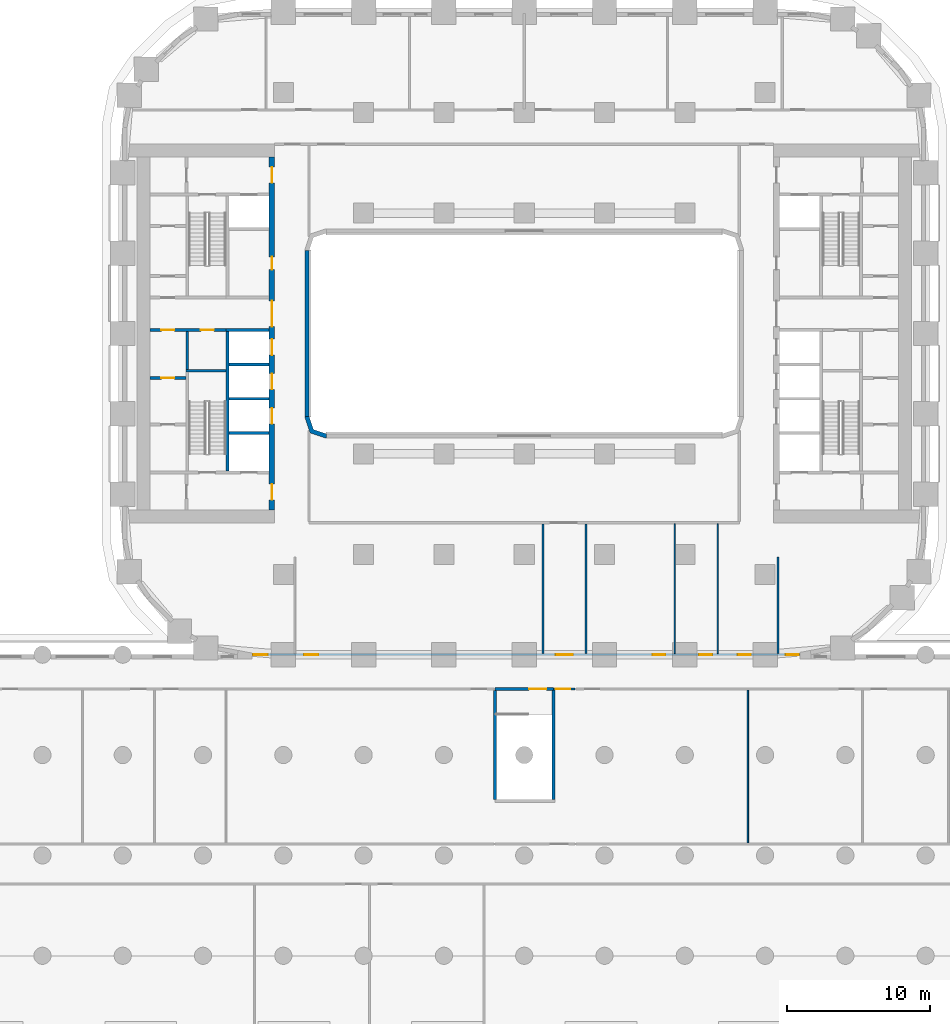
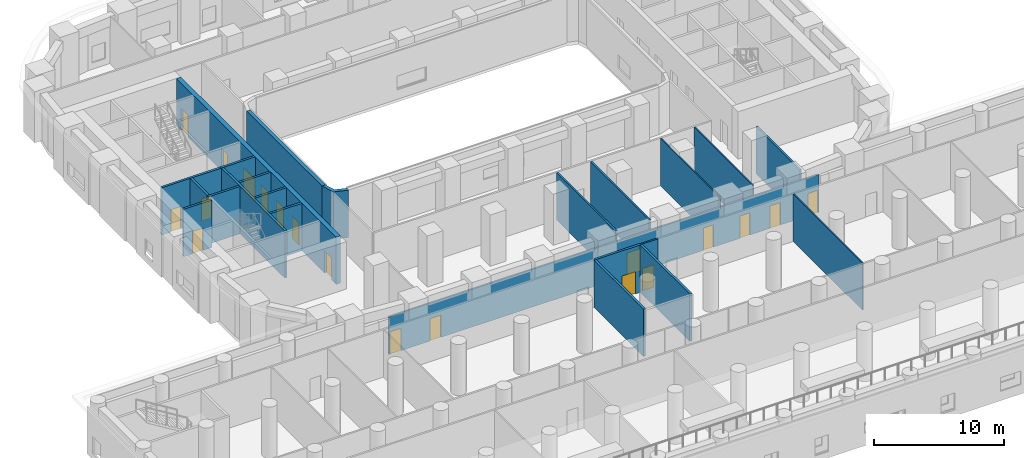
# One storey, part 10 of 24: 23 walls, 19 doors, 19 openings.
"""IFC4 building model written with IfcOpenShell, lengths in metres."""

from ifc_helpers import new_model, si_unit, direction, frame, frame_2d, origin, place, context, subcontext, project, spatial, polyline, rectangle, outline, extrude, material, layer, layer_set, type_object, element, fill, save


model = new_model("IFC4")

# Units and contexts
model_context = context("Model", 3, precision=1e-05, world=origin(), true_north=direction((0.0, 1.0)))
body_context = subcontext(model_context, "Body", "Model", "MODEL_VIEW")
ifc_project = project(units=[si_unit("LENGTHUNIT", "METRE"), si_unit("AREAUNIT", "SQUARE_METRE"), si_unit("VOLUMEUNIT", "CUBIC_METRE"), si_unit("PLANEANGLEUNIT", "RADIAN"), si_unit("MASSUNIT", "GRAM", prefix="KILO")], contexts=[model_context])

# Site, building, storey
site_placement = place(None, origin())
site = spatial("IfcSite", under=ifc_project, at=site_placement, CompositionType="ELEMENT")
building_placement = place(site_placement, origin())
building = spatial("IfcBuilding", under=site, at=building_placement, Name="Kiln Ring Residences", CompositionType="ELEMENT")
storey_placement = place(building_placement, frame((0.0, 0.0, 11.300048828125)))
storey = spatial("IfcBuildingStorey", under=building, at=storey_placement, Name="L02", CompositionType="ELEMENT", Elevation=11.300048828125)

# Wall
ifc_material_1 = material(Name="Gypsum board on steel studs", Category="steel")
ifc_layer_1 = layer(ifc_material_1, 0.199951171875)
ifc_layer_set_1 = layer_set([ifc_layer_1], Name="CORE-PARTITION-200")
wall_type_1 = type_object("IfcWallType", Name="CORE-PARTITION-200", PredefinedType="PARTITIONING", material=ifc_layer_set_1)
wall_1_placement = place(storey_placement, frame((-23.5, -2.5, 0.0), z_axis=(0.0, 0.0, 1.0), x_axis=(0.0, 1.0, 0.0)))
element("IfcWall", 1, at=wall_1_placement, inside=storey, type_object=wall_type_1, Name="Core partition west L02 1", PredefinedType="PARTITIONING", context=body_context, shape_type="SweptSolid", body=[
    extrude(rectangle(XDim=2.64990234375, YDim=0.199951171875, at=frame_2d((1.324951171875, 0.0))), origin(), (0.0, 0.0, 1.0), 4.449951171875),
])

# Wall, openings, doors
wall_2_placement = place(storey_placement, frame((-20.800048828125, 0.25, 0.0), z_axis=(0.0, 0.0, 1.0), x_axis=(-1.0, 0.0, 0.0)))
wall_2 = element("IfcWall", 2, at=wall_2_placement, inside=storey, type_object=wall_type_1, Name="Core partition west L02 2", PredefinedType="PARTITIONING", context=body_context, shape_type="SweptSolid", body=[
    extrude(rectangle(XDim=5.300048828125, YDim=0.199951171875, at=frame_2d((2.64990234375, 0.0))), origin(), (0.0, 0.0, 1.0), 4.449951171875),
])
opening_1_placement = place(wall_2_placement, frame((0.85009765625, 0.0, 0.0)))
opening_1 = element("IfcOpeningElement", 3, at=opening_1_placement, cuts=wall_2, Name="Opening L02-CW14", PredefinedType="OPENING", context=body_context, shape_type="SweptSolid", body=[
    extrude(rectangle(XDim=0.89990234375, YDim=2.10009765625, at=frame_2d((0.449951171875, 1.050048828125))), frame((0.0, 0.10986328125, 0.0), z_axis=(0.0, -1.0, 0.0), x_axis=(1.0, 0.0, 0.0)), (0.0, 0.0, 1.0), 0.219970703125),
])
opening_2_placement = place(wall_2_placement, frame((3.60009765625, 0.0, 0.0)))
opening_2 = element("IfcOpeningElement", 4, at=opening_2_placement, cuts=wall_2, Name="Opening L02-CW17", PredefinedType="OPENING", context=body_context, shape_type="SweptSolid", body=[
    extrude(rectangle(XDim=0.89990234375, YDim=2.10009765625, at=frame_2d((0.449951171875, 1.050048828125))), frame((0.0, 0.10986328125, 0.0), z_axis=(0.0, -1.0, 0.0), x_axis=(1.0, 0.0, 0.0)), (0.0, 0.0, 1.0), 0.219970703125),
])
ifc_material_2 = material(Name="Steel door leaf", Category="steel")
door_type_1 = type_object("IfcDoorType", Name="CORE-DOOR-ROOM", OperationType="SINGLE_SWING_LEFT", PredefinedType="DOOR", material=ifc_material_2)
door_1_placement = place(opening_1_placement, origin())
door_1 = element("IfcDoor", 5, at=door_1_placement, inside=storey, type_object=door_type_1, Name="Electrical riser room L02-CW14", OperationType="SINGLE_SWING_RIGHT", OverallHeight=2.10009765625, OverallWidth=0.89990234375, PredefinedType="DOOR", context=body_context, shape_type="SweptSolid", body=[
    extrude(rectangle(XDim=0.89990234375, YDim=2.10009765625, at=frame_2d((0.449951171875, 1.050048828125))), frame((0.0, 0.02490234375, 0.0), z_axis=(0.0, -1.0, 0.0), x_axis=(1.0, 0.0, 0.0)), (0.0, 0.0, 1.0), 0.050048828125),
])
fill(opening_1, door_1)
door_2_placement = place(opening_2_placement, origin())
door_2 = element("IfcDoor", 6, at=door_2_placement, inside=storey, type_object=door_type_1, Name="Plant room L02-CW17", OperationType="SINGLE_SWING_LEFT", OverallHeight=2.10009765625, OverallWidth=0.89990234375, PredefinedType="DOOR", context=body_context, shape_type="SweptSolid", body=[
    extrude(rectangle(XDim=0.89990234375, YDim=2.10009765625, at=frame_2d((0.449951171875, 1.050048828125))), frame((0.0, 0.02490234375, 0.0), z_axis=(0.0, -1.0, 0.0), x_axis=(1.0, 0.0, 0.0)), (0.0, 0.0, 1.0), 0.050048828125),
])
fill(opening_2, door_2)

# Wall, opening, door
wall_3_placement = place(storey_placement, frame((-23.60009765625, -3.10009765625, 0.0), z_axis=(0.0, 0.0, 1.0), x_axis=(-1.0, 0.0, 0.0)))
wall_3 = element("IfcWall", 7, at=wall_3_placement, inside=storey, type_object=wall_type_1, Name="Core partition west L02 6", PredefinedType="PARTITIONING", context=body_context, shape_type="SweptSolid", body=[
    extrude(rectangle(XDim=2.5, YDim=0.199951171875, at=frame_2d((1.25, 0.0))), origin(), (0.0, 0.0, 1.0), 4.449951171875),
])
opening_3_placement = place(wall_3_placement, frame((0.800048828125, 0.0, 0.0)))
opening_3 = element("IfcOpeningElement", 8, at=opening_3_placement, cuts=wall_3, Name="Opening L02-CW16", PredefinedType="OPENING", context=body_context, shape_type="SweptSolid", body=[
    extrude(rectangle(XDim=0.89990234375, YDim=2.10009765625, at=frame_2d((0.449951171875, 1.050048828125))), frame((0.0, 0.10986328125, 0.0), z_axis=(0.0, -1.0, 0.0), x_axis=(1.0, 0.0, 0.0)), (0.0, 0.0, 1.0), 0.219970703125),
])
door_3_placement = place(opening_3_placement, origin())
door_3 = element("IfcDoor", 9, at=door_3_placement, inside=storey, type_object=door_type_1, Name="Plant room L02-CW16", OperationType="SINGLE_SWING_LEFT", OverallHeight=2.10009765625, OverallWidth=0.89990234375, PredefinedType="DOOR", context=body_context, shape_type="SweptSolid", body=[
    extrude(rectangle(XDim=0.89990234375, YDim=2.10009765625, at=frame_2d((0.449951171875, 1.050048828125))), frame((0.0, 0.02490234375, 0.0), z_axis=(0.0, -1.0, 0.0), x_axis=(1.0, 0.0, 0.0)), (0.0, 0.0, 1.0), 0.050048828125),
])
fill(opening_3, door_3)

# Walls
ifc_material_3 = material(Name="Gypsum shaft wall system")
ifc_layer_2 = layer(ifc_material_3, 0.199951171875)
ifc_layer_set_2 = layer_set([ifc_layer_2], Name="CORE-SHAFT-WALL-200")
wall_type_2 = type_object("IfcWallType", Name="CORE-SHAFT-WALL-200", PredefinedType="PARTITIONING", material=ifc_layer_set_2)
for number, where, z_axis, x_axis, name in (
    (10, (-17.800048828125, -6.949951171875, 0.0), (0.0, 0.0, 1.0), (-1.0, 0.0, 0.0), "Core partition west L02 9"),
    (11, (-17.800048828125, -4.550048828125, 0.0), (0.0, 0.0, 1.0), (-1.0, 0.0, 0.0), "Core partition west L02 10"),
    (12, (-17.800048828125, -2.14990234375, 0.0), (0.0, 0.0, 1.0), (-1.0, 0.0, 0.0), "Core partition west L02 11"),
):
    element("IfcWall", number, at=place(storey_placement, frame(where, z_axis=z_axis, x_axis=x_axis)), inside=storey, type_object=wall_type_2, Name=name, PredefinedType="PARTITIONING", context=body_context, shape_type="SweptSolid", body=[
        extrude(rectangle(XDim=2.800048828125, YDim=0.199951171875, at=frame_2d((1.39990234375, 0.0))), origin(), (0.0, 0.0, 1.0), 4.449951171875),
    ])
wall_4_placement = place(storey_placement, frame((-17.800048828125, 0.25, 0.0), z_axis=(0.0, 0.0, 1.0), x_axis=(-1.0, 0.0, 0.0)))
element("IfcWall", 13, at=wall_4_placement, inside=storey, type_object=wall_type_2, Name="Core partition west L02 12", PredefinedType="PARTITIONING", context=body_context, shape_type="SweptSolid", body=[
    extrude(rectangle(XDim=3.0, YDim=0.199951171875, at=frame_2d((1.5, 0.0))), origin(), (0.0, 0.0, 1.0), 4.449951171875),
])
ifc_material_4 = material(Name="Concrete C40/50", Category="concrete")
ifc_layer_3 = layer(ifc_material_4, 0.199951171875)
ifc_layer_set_3 = layer_set([ifc_layer_3], Name="CORE-WALL-RC200")
wall_type_3 = type_object("IfcWallType", Name="CORE-WALL-RC200", PredefinedType="SHEAR", material=ifc_layer_set_3)
wall_5_placement = place(storey_placement, frame((-20.699951171875, -9.60009765625, 0.0), z_axis=(0.0, 0.0, 1.0), x_axis=(0.0, 1.0, 0.0)))
element("IfcWall", 14, at=wall_5_placement, inside=storey, type_object=wall_type_3, Name="Core wall west L02 2", PredefinedType="SHEAR", context=body_context, shape_type="SweptSolid", body=[
    extrude(rectangle(XDim=9.75, YDim=0.199951171875, at=frame_2d((4.875, 0.0))), origin(), (0.0, 0.0, 1.0), 4.449951171875),
])
wall_6_placement = place(storey_placement, frame((-20.800048828125, -2.60009765625, 0.0), z_axis=(0.0, 0.0, 1.0), x_axis=(-1.0, 0.0, 0.0)))
element("IfcWall", 15, at=wall_6_placement, inside=storey, type_object=wall_type_3, Name="Core wall west L02 12", PredefinedType="SHEAR", context=body_context, shape_type="SweptSolid", body=[
    extrude(rectangle(XDim=2.800048828125, YDim=0.199951171875, at=frame_2d((1.39990234375, 0.0))), origin(), (0.0, 0.0, 1.0), 4.449951171875),
])

# Wall, openings, doors
ifc_material_5 = material(Name="Concrete C60/75", Category="concrete")
ifc_layer_4 = layer(ifc_material_5, 0.39990234375)
ifc_layer_set_4 = layer_set([ifc_layer_4], Name="CORE-WALL-RC400")
wall_type_4 = type_object("IfcWallType", Name="CORE-WALL-RC400", PredefinedType="SHEAR", material=ifc_layer_set_4)
wall_7_placement = place(storey_placement, frame((-17.60009765625, -12.300048828125, 0.0), z_axis=(0.0, 0.0, 1.0), x_axis=(0.0, 1.0, 0.0)))
wall_7 = element("IfcWall", 16, at=wall_7_placement, inside=storey, type_object=wall_type_4, Name="Core wall west L02 6", PredefinedType="SHEAR", context=body_context, shape_type="SweptSolid", body=[
    extrude(rectangle(XDim=24.60009765625, YDim=0.39990234375, at=frame_2d((12.300048828125, 0.0))), origin(), (0.0, 0.0, 1.0), 4.449951171875),
])
opening_4_placement = place(wall_7_placement, frame((6.0, 0.0, 0.0)))
opening_4 = element("IfcOpeningElement", 17, at=opening_4_placement, cuts=wall_7, Name="Opening L02-CW02", PredefinedType="OPENING", context=body_context, shape_type="SweptSolid", body=[
    extrude(rectangle(XDim=1.10009765625, YDim=2.10009765625, at=frame_2d((0.550048828125, 1.050048828125))), frame((0.0, 0.2099609375, 0.0), z_axis=(0.0, -1.0, 0.0), x_axis=(1.0, 0.0, 0.0)), (0.0, 0.0, 1.0), 0.419921875),
])
opening_5_placement = place(wall_7_placement, frame((8.39990234375, 0.0, 0.0)))
opening_5 = element("IfcOpeningElement", 18, at=opening_5_placement, cuts=wall_7, Name="Opening L02-CW03", PredefinedType="OPENING", context=body_context, shape_type="SweptSolid", body=[
    extrude(rectangle(XDim=1.10009765625, YDim=2.10009765625, at=frame_2d((0.550048828125, 1.050048828125))), frame((0.0, 0.2099609375, 0.0), z_axis=(0.0, -1.0, 0.0), x_axis=(1.0, 0.0, 0.0)), (0.0, 0.0, 1.0), 0.419921875),
])
opening_6_placement = place(wall_7_placement, frame((10.800048828125, 0.0, 0.0)))
opening_6 = element("IfcOpeningElement", 19, at=opening_6_placement, cuts=wall_7, Name="Opening L02-CW04", PredefinedType="OPENING", context=body_context, shape_type="SweptSolid", body=[
    extrude(rectangle(XDim=1.10009765625, YDim=2.10009765625, at=frame_2d((0.550048828125, 1.050048828125))), frame((0.0, 0.2099609375, 0.0), z_axis=(0.0, -1.0, 0.0), x_axis=(1.0, 0.0, 0.0)), (0.0, 0.0, 1.0), 0.419921875),
])
opening_7_placement = place(wall_7_placement, frame((16.75, 0.0, 0.0)))
opening_7 = element("IfcOpeningElement", 20, at=opening_7_placement, cuts=wall_7, Name="Opening L02-CW05", PredefinedType="OPENING", context=body_context, shape_type="SweptSolid", body=[
    extrude(rectangle(XDim=0.89990234375, YDim=2.10009765625, at=frame_2d((0.449951171875, 1.050048828125))), frame((0.0, 0.2099609375, 0.0), z_axis=(0.0, -1.0, 0.0), x_axis=(1.0, 0.0, 0.0)), (0.0, 0.0, 1.0), 0.419921875),
])
opening_8_placement = place(wall_7_placement, frame((22.800048828125, 0.0, 0.0)))
opening_8 = element("IfcOpeningElement", 21, at=opening_8_placement, cuts=wall_7, Name="Opening L02-CW07", PredefinedType="OPENING", context=body_context, shape_type="SweptSolid", body=[
    extrude(rectangle(XDim=1.10009765625, YDim=2.10009765625, at=frame_2d((0.550048828125, 1.050048828125))), frame((0.0, 0.2099609375, 0.0), z_axis=(0.0, -1.0, 0.0), x_axis=(1.0, 0.0, 0.0)), (0.0, 0.0, 1.0), 0.419921875),
])
opening_9_placement = place(wall_7_placement, frame((0.699951171875, 0.0, 0.0)))
opening_9 = element("IfcOpeningElement", 22, at=opening_9_placement, cuts=wall_7, Name="Opening L02-CW08", PredefinedType="OPENING", context=body_context, shape_type="SweptSolid", body=[
    extrude(rectangle(XDim=1.10009765625, YDim=2.10009765625, at=frame_2d((0.550048828125, 1.050048828125))), frame((0.0, 0.2099609375, 0.0), z_axis=(0.0, -1.0, 0.0), x_axis=(1.0, 0.0, 0.0)), (0.0, 0.0, 1.0), 0.419921875),
])
opening_10_placement = place(wall_7_placement, frame((12.77490234375, 0.0, 0.0)))
opening_10 = element("IfcOpeningElement", 23, at=opening_10_placement, cuts=wall_7, Name="Opening L02-CW13", PredefinedType="OPENING", context=body_context, shape_type="SweptSolid", body=[
    extrude(rectangle(XDim=1.800048828125, YDim=2.10009765625, at=frame_2d((0.89990234375, 1.050048828125))), frame((0.0, 0.2099609375, 0.0), z_axis=(0.0, -1.0, 0.0), x_axis=(1.0, 0.0, 0.0)), (0.0, 0.0, 1.0), 0.419921875),
])
ifc_material_6 = material(Name="Steel door leaf", Category="steel")
door_type_2 = type_object("IfcDoorType", Name="CORE-DOOR-LD", OperationType="DOUBLE_DOOR_SLIDING", PredefinedType="DOOR", material=ifc_material_6)
door_4_placement = place(opening_4_placement, origin())
door_4 = element("IfcDoor", 24, at=door_4_placement, inside=storey, type_object=door_type_2, Name="LD W-L1 L02-CW02", OperationType="DOUBLE_DOOR_SLIDING", OverallHeight=2.10009765625, OverallWidth=1.10009765625, PredefinedType="DOOR", context=body_context, shape_type="SweptSolid", body=[
    extrude(rectangle(XDim=1.10009765625, YDim=2.10009765625, at=frame_2d((0.550048828125, 1.050048828125))), frame((0.0, 0.02490234375, 0.0), z_axis=(0.0, -1.0, 0.0), x_axis=(1.0, 0.0, 0.0)), (0.0, 0.0, 1.0), 0.050048828125),
])
fill(opening_4, door_4)
door_5_placement = place(opening_5_placement, origin())
door_5 = element("IfcDoor", 25, at=door_5_placement, inside=storey, type_object=door_type_2, Name="LD W-L2 L02-CW03", OperationType="DOUBLE_DOOR_SLIDING", OverallHeight=2.10009765625, OverallWidth=1.10009765625, PredefinedType="DOOR", context=body_context, shape_type="SweptSolid", body=[
    extrude(rectangle(XDim=1.10009765625, YDim=2.10009765625, at=frame_2d((0.550048828125, 1.050048828125))), frame((0.0, 0.02490234375, 0.0), z_axis=(0.0, -1.0, 0.0), x_axis=(1.0, 0.0, 0.0)), (0.0, 0.0, 1.0), 0.050048828125),
])
fill(opening_5, door_5)
door_6_placement = place(opening_6_placement, origin())
door_6 = element("IfcDoor", 26, at=door_6_placement, inside=storey, type_object=door_type_2, Name="LD W-L3 L02-CW04", OperationType="DOUBLE_DOOR_SLIDING", OverallHeight=2.10009765625, OverallWidth=1.10009765625, PredefinedType="DOOR", context=body_context, shape_type="SweptSolid", body=[
    extrude(rectangle(XDim=1.10009765625, YDim=2.10009765625, at=frame_2d((0.550048828125, 1.050048828125))), frame((0.0, 0.02490234375, 0.0), z_axis=(0.0, -1.0, 0.0), x_axis=(1.0, 0.0, 0.0)), (0.0, 0.0, 1.0), 0.050048828125),
])
fill(opening_6, door_6)
ifc_material_7 = material(Name="Steel door leaf", Category="steel")
door_type_3 = type_object("IfcDoorType", Name="CORE-DOOR-LOBBY", OperationType="SINGLE_SWING_LEFT", PredefinedType="DOOR", material=ifc_material_7)
door_7_placement = place(opening_8_placement, origin())
door_7 = element("IfcDoor", 27, at=door_7_placement, inside=storey, type_object=door_type_3, Name="FFL L02-CW07", OperationType="SINGLE_SWING_RIGHT", OverallHeight=2.10009765625, OverallWidth=1.10009765625, PredefinedType="DOOR", context=body_context, shape_type="SweptSolid", body=[
    extrude(rectangle(XDim=1.10009765625, YDim=2.10009765625, at=frame_2d((0.550048828125, 1.050048828125))), frame((0.0, 0.02490234375, 0.0), z_axis=(0.0, -1.0, 0.0), x_axis=(1.0, 0.0, 0.0)), (0.0, 0.0, 1.0), 0.050048828125),
])
fill(opening_8, door_7)
door_8_placement = place(opening_9_placement, origin())
door_8 = element("IfcDoor", 28, at=door_8_placement, inside=storey, type_object=door_type_3, Name="SVL L02-CW08", OperationType="SINGLE_SWING_LEFT", OverallHeight=2.10009765625, OverallWidth=1.10009765625, PredefinedType="DOOR", context=body_context, shape_type="SweptSolid", body=[
    extrude(rectangle(XDim=1.10009765625, YDim=2.10009765625, at=frame_2d((0.550048828125, 1.050048828125))), frame((0.0, 0.02490234375, 0.0), z_axis=(0.0, -1.0, 0.0), x_axis=(1.0, 0.0, 0.0)), (0.0, 0.0, 1.0), 0.050048828125),
])
fill(opening_9, door_8)
ifc_material_8 = material(Name="Steel door leaf", Category="steel")
door_type_4 = type_object("IfcDoorType", Name="CORE-DOOR-PASS", OperationType="DOUBLE_DOOR_SINGLE_SWING", PredefinedType="DOOR", material=ifc_material_8)
door_9_placement = place(opening_10_placement, origin())
door_9 = element("IfcDoor", 29, at=door_9_placement, inside=storey, type_object=door_type_4, Name="Core passage L02-CW13", OperationType="DOUBLE_DOOR_SINGLE_SWING", OverallHeight=2.10009765625, OverallWidth=1.800048828125, PredefinedType="DOOR", context=body_context, shape_type="SweptSolid", body=[
    extrude(rectangle(XDim=1.800048828125, YDim=2.10009765625, at=frame_2d((0.89990234375, 1.050048828125))), frame((0.0, 0.02490234375, 0.0), z_axis=(0.0, -1.0, 0.0), x_axis=(1.0, 0.0, 0.0)), (0.0, 0.0, 1.0), 0.050048828125),
])
fill(opening_10, door_9)
door_10_placement = place(opening_7_placement, origin())
door_10 = element("IfcDoor", 30, at=door_10_placement, inside=storey, type_object=door_type_1, Name="Housekeeping store L02-CW05", OperationType="SINGLE_SWING_LEFT", OverallHeight=2.10009765625, OverallWidth=0.89990234375, PredefinedType="DOOR", context=body_context, shape_type="SweptSolid", body=[
    extrude(rectangle(XDim=0.89990234375, YDim=2.10009765625, at=frame_2d((0.449951171875, 1.050048828125))), frame((0.0, 0.02490234375, 0.0), z_axis=(0.0, -1.0, 0.0), x_axis=(1.0, 0.0, 0.0)), (0.0, 0.0, 1.0), 0.050048828125),
])
fill(opening_7, door_10)

# Walls
ifc_material_9 = material(Name="Brick masonry, dark clay brick", Category="masonry")
ifc_layer_5 = layer(ifc_material_9, 0.300048828125)
ifc_layer_set_5 = layer_set([ifc_layer_5], Name="EW-300 BRICK WALL")
wall_type_5 = type_object("IfcWallType", Name="EW-300 BRICK WALL", PredefinedType="SOLIDWALL", material=ifc_layer_set_5)
wall_8_placement = place(storey_placement, frame((-15.14990234375, -5.800048828125, 0.0), z_axis=(0.0, 0.0, 1.0), x_axis=(0.0, 1.0, 0.0)))
element("IfcWall", 31, at=wall_8_placement, inside=storey, type_object=wall_type_5, Name="Facade wall L02 75", PredefinedType="SOLIDWALL", context=body_context, shape_type="SweptSolid", body=[
    extrude(rectangle(XDim=11.60009765625, YDim=0.300048828125, at=frame_2d((5.800048828125, 0.0))), origin(), (0.0, 0.0, 1.0), 4.449951171875),
])
wall_9_placement = place(storey_placement, origin())
element("IfcWall", 32, at=wall_9_placement, inside=storey, type_object=wall_type_5, Name="Corner wall L02 6", PredefinedType="SOLIDWALL", context=body_context, shape_type="SweptSolid", body=[
    extrude(outline(polyline([(-14.937255859375, -6.937255859375), (-13.8486328125, -7.300048828125), (-13.800048828125, -7.300048828125), (-13.800048828125, -7.0), (-14.699951171875, -6.699951171875), (-15.0, -5.800048828125), (-15.300048828125, -5.800048828125), (-15.300048828125, -5.8486328125), (-14.937255859375, -6.937255859375)])), origin(), (0.0, 0.0, 1.0), 4.449951171875),
])
ifc_material_10 = material(Name="Gypsum board on steel studs", Category="steel")
ifc_layer_6 = layer(ifc_material_10, 0.10009765625)
ifc_layer_set_6 = layer_set([ifc_layer_6], Name="PARTITION-100")
wall_type_6 = type_object("IfcWallType", Name="PARTITION-100", PredefinedType="PARTITIONING", material=ifc_layer_set_6)
for number, where, z_axis, x_axis, name in (
    (33, (10.5, -22.324951171875, 0.0), (0.0, 0.0, 1.0), (0.0, 1.0, 0.0), "Partition 034"),
    (34, (13.5, -22.324951171875, 0.0), (0.0, 0.0, 1.0), (0.0, 1.0, 0.0), "Partition 035"),
):
    element("IfcWall", number, at=place(storey_placement, frame(where, z_axis=z_axis, x_axis=x_axis)), inside=storey, type_object=wall_type_6, Name=name, PredefinedType="PARTITIONING", context=body_context, shape_type="SweptSolid", body=[
        extrude(rectangle(XDim=9.050048828125, YDim=0.10009765625, at=frame_2d((4.52490234375, 0.0))), origin(), (0.0, 0.0, 1.0), 4.449951171875),
    ])
wall_10_placement = place(storey_placement, frame((15.60009765625, -35.52490234375, 0.0), z_axis=(0.0, 0.0, 1.0), x_axis=(0.0, 1.0, 0.0)))
element("IfcWall", 35, at=wall_10_placement, inside=storey, type_object=wall_type_6, Name="Partition 038", PredefinedType="PARTITIONING", context=body_context, shape_type="SweptSolid", body=[
    extrude(rectangle(XDim=10.64990234375, YDim=0.10009765625, at=frame_2d((5.324951171875, 0.0))), origin(), (0.0, 0.0, 1.0), 4.449951171875),
])

# Wall, opening, door
ifc_material_11 = material(Name="Brick masonry partition", Category="masonry")
ifc_layer_7 = layer(ifc_material_11, 0.14990234375)
ifc_layer_set_7 = layer_set([ifc_layer_7], Name="PARTITION-150-ei60")
wall_type_7 = type_object("IfcWallType", Name="PARTITION-150-ei60", PredefinedType="PARTITIONING", material=ifc_layer_set_7)
wall_11_placement = place(storey_placement, frame((2.050048828125, -24.800048828125, 0.0), z_axis=(0.0, 0.0, 1.0), x_axis=(1.0, 0.0, 0.0)))
wall_11 = element("IfcWall", 36, at=wall_11_placement, inside=storey, type_object=wall_type_7, Name="Partition 008", PredefinedType="PARTITIONING", context=body_context, shape_type="SweptSolid", body=[
    extrude(rectangle(XDim=1.5, YDim=0.14990234375, at=frame_2d((0.75, 0.0))), origin(), (0.0, 0.0, 1.0), 4.449951171875),
])
opening_11_placement = place(wall_11_placement, frame((0.14990234375, 0.0, 0.0)))
opening_11 = element("IfcOpeningElement", 37, at=opening_11_placement, cuts=wall_11, Name="Opening L02-D009", PredefinedType="OPENING", context=body_context, shape_type="SweptSolid", body=[
    extrude(rectangle(XDim=1.0, YDim=2.10009765625, at=frame_2d((0.5, 1.050048828125))), frame((0.0, 0.0849609375, 0.0), z_axis=(0.0, -1.0, 0.0), x_axis=(1.0, 0.0, 0.0)), (0.0, 0.0, 1.0), 0.169921875),
])
ifc_material_12 = material(Name="Steel faced fire door leaf", Category="steel")
door_type_5 = type_object("IfcDoorType", Name="FLAT-DOOR-1000-FR", OperationType="SINGLE_SWING_LEFT", PredefinedType="DOOR", material=ifc_material_12)
door_11_placement = place(opening_11_placement, origin())
door_11 = element("IfcDoor", 38, at=door_11_placement, inside=storey, type_object=door_type_5, Name="Door L02-D009", OperationType="SINGLE_SWING_LEFT", OverallHeight=2.10009765625, OverallWidth=1.0, PredefinedType="DOOR", context=body_context, shape_type="SweptSolid", body=[
    extrude(rectangle(XDim=1.0, YDim=2.10009765625, at=frame_2d((0.5, 1.050048828125))), frame((0.0, 0.02490234375, 0.0), z_axis=(0.0, -1.0, 0.0), x_axis=(1.0, 0.0, 0.0)), (0.0, 0.0, 1.0), 0.050048828125),
])
fill(opening_11, door_11)

# Wall, openings, doors
wall_12_placement = place(storey_placement, frame((-18.97998046875, -22.39990234375, 0.0), z_axis=(0.0, 0.0, 1.0), x_axis=(1.0, 0.0, 0.0)))
wall_12 = element("IfcWall", 39, at=wall_12_placement, inside=storey, type_object=wall_type_7, Name="Partition 013", PredefinedType="PARTITIONING", context=body_context, shape_type="SweptSolid", body=[
    extrude(rectangle(XDim=38.2109375, YDim=0.14990234375, at=frame_2d((19.10546875, 0.0))), origin(), (0.0, 0.0, 1.0), 3.550048828125),
])
opening_12_placement = place(wall_12_placement, frame((21.179931640625, 0.0, 0.0)))
opening_12 = element("IfcOpeningElement", 40, at=opening_12_placement, cuts=wall_12, Name="Opening L02-D005", PredefinedType="OPENING", context=body_context, shape_type="SweptSolid", body=[
    extrude(rectangle(XDim=1.199951171875, YDim=2.10009765625, at=frame_2d((0.60009765625, 1.050048828125))), frame((0.0, 0.0849609375, 0.0), z_axis=(0.0, -1.0, 0.0), x_axis=(1.0, 0.0, 0.0)), (0.0, 0.0, 1.0), 0.169921875),
])
opening_13_placement = place(wall_12_placement, frame((0.080078125, 0.0, 0.0)))
opening_13 = element("IfcOpeningElement", 41, at=opening_13_placement, cuts=wall_12, Name="Opening L02-D023", PredefinedType="OPENING", context=body_context, shape_type="SweptSolid", body=[
    extrude(rectangle(XDim=1.0, YDim=2.10009765625, at=frame_2d((0.5, 1.050048828125))), frame((0.0, 0.0849609375, 0.0), z_axis=(0.0, -1.0, 0.0), x_axis=(1.0, 0.0, 0.0)), (0.0, 0.0, 1.0), 0.169921875),
])
opening_14_placement = place(wall_12_placement, frame((3.6298828125, 0.0, 0.0)))
opening_14 = element("IfcOpeningElement", 42, at=opening_14_placement, cuts=wall_12, Name="Opening L02-D024", PredefinedType="OPENING", context=body_context, shape_type="SweptSolid", body=[
    extrude(rectangle(XDim=1.0, YDim=2.10009765625, at=frame_2d((0.5, 1.050048828125))), frame((0.0, 0.0849609375, 0.0), z_axis=(0.0, -1.0, 0.0), x_axis=(1.0, 0.0, 0.0)), (0.0, 0.0, 1.0), 0.169921875),
])
opening_15_placement = place(wall_12_placement, frame((27.929931640625, 0.0, 0.0)))
opening_15 = element("IfcOpeningElement", 43, at=opening_15_placement, cuts=wall_12, Name="Opening L02-D025", PredefinedType="OPENING", context=body_context, shape_type="SweptSolid", body=[
    extrude(rectangle(XDim=0.89990234375, YDim=2.10009765625, at=frame_2d((0.449951171875, 1.050048828125))), frame((0.0, 0.0849609375, 0.0), z_axis=(0.0, -1.0, 0.0), x_axis=(1.0, 0.0, 0.0)), (0.0, 0.0, 1.0), 0.169921875),
])
opening_16_placement = place(wall_12_placement, frame((31.179931640625, 0.0, 0.0)))
opening_16 = element("IfcOpeningElement", 44, at=opening_16_placement, cuts=wall_12, Name="Opening L02-D026", PredefinedType="OPENING", context=body_context, shape_type="SweptSolid", body=[
    extrude(rectangle(XDim=0.89990234375, YDim=2.10009765625, at=frame_2d((0.449951171875, 1.050048828125))), frame((0.0, 0.0849609375, 0.0), z_axis=(0.0, -1.0, 0.0), x_axis=(1.0, 0.0, 0.0)), (0.0, 0.0, 1.0), 0.169921875),
])
opening_17_placement = place(wall_12_placement, frame((33.8798828125, 0.0, 0.0)))
opening_17 = element("IfcOpeningElement", 45, at=opening_17_placement, cuts=wall_12, Name="Opening L02-D027", PredefinedType="OPENING", context=body_context, shape_type="SweptSolid", body=[
    extrude(rectangle(XDim=0.89990234375, YDim=2.10009765625, at=frame_2d((0.449951171875, 1.050048828125))), frame((0.0, 0.0849609375, 0.0), z_axis=(0.0, -1.0, 0.0), x_axis=(1.0, 0.0, 0.0)), (0.0, 0.0, 1.0), 0.169921875),
])
opening_18_placement = place(wall_12_placement, frame((37.23095703125, 0.0, 0.0)))
opening_18 = element("IfcOpeningElement", 46, at=opening_18_placement, cuts=wall_12, Name="Opening L02-D028", PredefinedType="OPENING", context=body_context, shape_type="SweptSolid", body=[
    extrude(rectangle(XDim=0.89990234375, YDim=2.10009765625, at=frame_2d((0.449951171875, 1.050048828125))), frame((0.0, 0.0849609375, 0.0), z_axis=(0.0, -1.0, 0.0), x_axis=(1.0, 0.0, 0.0)), (0.0, 0.0, 1.0), 0.169921875),
])
door_12_placement = place(opening_13_placement, origin())
door_12 = element("IfcDoor", 47, at=door_12_placement, inside=storey, type_object=door_type_5, Name="Door L02-D023", OperationType="SINGLE_SWING_RIGHT", OverallHeight=2.10009765625, OverallWidth=1.0, PredefinedType="DOOR", context=body_context, shape_type="SweptSolid", body=[
    extrude(rectangle(XDim=1.0, YDim=2.10009765625, at=frame_2d((0.5, 1.050048828125))), frame((0.0, 0.02490234375, 0.0), z_axis=(0.0, -1.0, 0.0), x_axis=(1.0, 0.0, 0.0)), (0.0, 0.0, 1.0), 0.050048828125),
])
fill(opening_13, door_12)
door_13_placement = place(opening_14_placement, origin())
door_13 = element("IfcDoor", 48, at=door_13_placement, inside=storey, type_object=door_type_5, Name="Door L02-D024", OperationType="SINGLE_SWING_RIGHT", OverallHeight=2.10009765625, OverallWidth=1.0, PredefinedType="DOOR", context=body_context, shape_type="SweptSolid", body=[
    extrude(rectangle(XDim=1.0, YDim=2.10009765625, at=frame_2d((0.5, 1.050048828125))), frame((0.0, 0.02490234375, 0.0), z_axis=(0.0, -1.0, 0.0), x_axis=(1.0, 0.0, 0.0)), (0.0, 0.0, 1.0), 0.050048828125),
])
fill(opening_14, door_13)
ifc_material_13 = material(Name="Steel faced fire door leaf", Category="steel")
door_type_6 = type_object("IfcDoorType", Name="FLAT-DOOR-1200-FR", OperationType="SINGLE_SWING_LEFT", PredefinedType="DOOR", material=ifc_material_13)
door_14_placement = place(opening_12_placement, origin())
door_14 = element("IfcDoor", 49, at=door_14_placement, inside=storey, type_object=door_type_6, Name="Door L02-D005", OperationType="SINGLE_SWING_LEFT", OverallHeight=2.10009765625, OverallWidth=1.199951171875, PredefinedType="DOOR", context=body_context, shape_type="SweptSolid", body=[
    extrude(rectangle(XDim=1.199951171875, YDim=2.10009765625, at=frame_2d((0.60009765625, 1.050048828125))), frame((0.0, 0.02490234375, 0.0), z_axis=(0.0, -1.0, 0.0), x_axis=(1.0, 0.0, 0.0)), (0.0, 0.0, 1.0), 0.050048828125),
])
fill(opening_12, door_14)
ifc_material_14 = material(Name="Steel faced fire door leaf", Category="steel")
door_type_7 = type_object("IfcDoorType", Name="FLAT-DOOR-900-FR", OperationType="SINGLE_SWING_LEFT", PredefinedType="DOOR", material=ifc_material_14)
door_15_placement = place(opening_15_placement, origin())
door_15 = element("IfcDoor", 50, at=door_15_placement, inside=storey, type_object=door_type_7, Name="Door L02-D025", OperationType="SINGLE_SWING_LEFT", OverallHeight=2.10009765625, OverallWidth=0.89990234375, PredefinedType="DOOR", context=body_context, shape_type="SweptSolid", body=[
    extrude(rectangle(XDim=0.89990234375, YDim=2.10009765625, at=frame_2d((0.449951171875, 1.050048828125))), frame((0.0, 0.02490234375, 0.0), z_axis=(0.0, -1.0, 0.0), x_axis=(1.0, 0.0, 0.0)), (0.0, 0.0, 1.0), 0.050048828125),
])
fill(opening_15, door_15)
door_16_placement = place(opening_16_placement, origin())
door_16 = element("IfcDoor", 51, at=door_16_placement, inside=storey, type_object=door_type_7, Name="Door L02-D026", OperationType="SINGLE_SWING_LEFT", OverallHeight=2.10009765625, OverallWidth=0.89990234375, PredefinedType="DOOR", context=body_context, shape_type="SweptSolid", body=[
    extrude(rectangle(XDim=0.89990234375, YDim=2.10009765625, at=frame_2d((0.449951171875, 1.050048828125))), frame((0.0, 0.02490234375, 0.0), z_axis=(0.0, -1.0, 0.0), x_axis=(1.0, 0.0, 0.0)), (0.0, 0.0, 1.0), 0.050048828125),
])
fill(opening_16, door_16)
door_17_placement = place(opening_17_placement, origin())
door_17 = element("IfcDoor", 52, at=door_17_placement, inside=storey, type_object=door_type_7, Name="Door L02-D027", OperationType="SINGLE_SWING_RIGHT", OverallHeight=2.10009765625, OverallWidth=0.89990234375, PredefinedType="DOOR", context=body_context, shape_type="SweptSolid", body=[
    extrude(rectangle(XDim=0.89990234375, YDim=2.10009765625, at=frame_2d((0.449951171875, 1.050048828125))), frame((0.0, 0.02490234375, 0.0), z_axis=(0.0, -1.0, 0.0), x_axis=(1.0, 0.0, 0.0)), (0.0, 0.0, 1.0), 0.050048828125),
])
fill(opening_17, door_17)
door_18_placement = place(opening_18_placement, origin())
door_18 = element("IfcDoor", 53, at=door_18_placement, inside=storey, type_object=door_type_7, Name="Door L02-D028", OperationType="SINGLE_SWING_RIGHT", OverallHeight=2.10009765625, OverallWidth=0.89990234375, PredefinedType="DOOR", context=body_context, shape_type="SweptSolid", body=[
    extrude(rectangle(XDim=0.89990234375, YDim=2.10009765625, at=frame_2d((0.449951171875, 1.050048828125))), frame((0.0, 0.02490234375, 0.0), z_axis=(0.0, -1.0, 0.0), x_axis=(1.0, 0.0, 0.0)), (0.0, 0.0, 1.0), 0.050048828125),
])
fill(opening_18, door_18)

# Walls
for number, where, z_axis, x_axis, name in (
    (54, (1.300048828125, -22.324951171875, 0.0), (0.0, 0.0, 1.0), (0.0, 1.0, 0.0), "Partition 030"),
    (55, (4.300048828125, -22.324951171875, 0.0), (0.0, 0.0, 1.0), (0.0, 1.0, 0.0), "Partition 032"),
):
    element("IfcWall", number, at=place(storey_placement, frame(where, z_axis=z_axis, x_axis=x_axis)), inside=storey, type_object=wall_type_7, Name=name, PredefinedType="PARTITIONING", context=body_context, shape_type="SweptSolid", body=[
        extrude(rectangle(XDim=9.050048828125, YDim=0.14990234375, at=frame_2d((4.52490234375, 0.0))), origin(), (0.0, 0.0, 1.0), 4.449951171875),
    ])
wall_13_placement = place(storey_placement, frame((17.699951171875, -22.324951171875, 0.0), z_axis=(0.0, 0.0, 1.0), x_axis=(0.0, 1.0, 0.0)))
element("IfcWall", 56, at=wall_13_placement, inside=storey, type_object=wall_type_7, Name="Partition 039", PredefinedType="PARTITIONING", context=body_context, shape_type="SweptSolid", body=[
    extrude(rectangle(XDim=6.724853515625, YDim=0.14990234375, at=frame_2d((3.3623046875, 0.0))), origin(), (0.0, 0.0, 1.0), 4.449951171875),
])

# Wall, opening, door
ifc_material_15 = material(Name="Concrete C40/50", Category="concrete")
ifc_layer_8 = layer(ifc_material_15, 0.199951171875)
ifc_layer_set_8 = layer_set([ifc_layer_8], Name="PODIUM-STAIR-WALL-200")
wall_type_8 = type_object("IfcWallType", Name="PODIUM-STAIR-WALL-200", PredefinedType="SHEAR", material=ifc_layer_set_8)
wall_14_placement = place(storey_placement, frame((-2.050048828125, -24.800048828125, 0.0), z_axis=(0.0, 0.0, 1.0), x_axis=(1.0, 0.0, 0.0)))
wall_14 = element("IfcWall", 57, at=wall_14_placement, inside=storey, type_object=wall_type_8, Name="Stair wall 011", PredefinedType="SHEAR", context=body_context, shape_type="SweptSolid", body=[
    extrude(rectangle(XDim=4.10009765625, YDim=0.199951171875, at=frame_2d((2.050048828125, 0.0))), origin(), (0.0, 0.0, 1.0), 4.449951171875),
])
opening_19_placement = place(wall_14_placement, frame((2.39990234375, 0.0, 0.0)))
opening_19 = element("IfcOpeningElement", 58, at=opening_19_placement, cuts=wall_14, Name="Opening L02-D008", PredefinedType="OPENING", context=body_context, shape_type="SweptSolid", body=[
    extrude(rectangle(XDim=1.199951171875, YDim=2.10009765625, at=frame_2d((0.60009765625, 1.050048828125))), frame((0.0, 0.10986328125, 0.0), z_axis=(0.0, -1.0, 0.0), x_axis=(1.0, 0.0, 0.0)), (0.0, 0.0, 1.0), 0.219970703125),
])
door_19_placement = place(opening_19_placement, origin())
door_19 = element("IfcDoor", 59, at=door_19_placement, inside=storey, type_object=door_type_6, Name="Door L02-D008", OperationType="SINGLE_SWING_RIGHT", OverallHeight=2.10009765625, OverallWidth=1.199951171875, PredefinedType="DOOR", context=body_context, shape_type="SweptSolid", body=[
    extrude(rectangle(XDim=1.199951171875, YDim=2.10009765625, at=frame_2d((0.60009765625, 1.050048828125))), frame((0.0, 0.02490234375, 0.0), z_axis=(0.0, -1.0, 0.0), x_axis=(1.0, 0.0, 0.0)), (0.0, 0.0, 1.0), 0.050048828125),
])
fill(opening_19, door_19)

# Walls
wall_15_placement = place(storey_placement, frame((2.050048828125, -32.5, 0.0), z_axis=(0.0, 0.0, 1.0), x_axis=(0.0, 1.0, 0.0)))
element("IfcWall", 60, at=wall_15_placement, inside=storey, type_object=wall_type_8, Name="Stair wall 031", PredefinedType="SHEAR", context=body_context, shape_type="SweptSolid", body=[
    extrude(rectangle(XDim=7.625, YDim=0.199951171875, at=frame_2d((3.8125, 0.0))), origin(), (0.0, 0.0, 1.0), 4.449951171875),
])
wall_16_placement = place(storey_placement, frame((-2.050048828125, -32.5, 0.0), z_axis=(0.0, 0.0, 1.0), x_axis=(0.0, 1.0, 0.0)))
element("IfcWall", 61, at=wall_16_placement, inside=storey, type_object=wall_type_8, Name="Stair wall PS-C W L02", PredefinedType="SHEAR", context=body_context, shape_type="SweptSolid", body=[
    extrude(rectangle(XDim=7.60009765625, YDim=0.199951171875, at=frame_2d((3.800048828125, 0.0))), origin(), (0.0, 0.0, 1.0), 4.449951171875),
])

save(model, "model.ifc")
